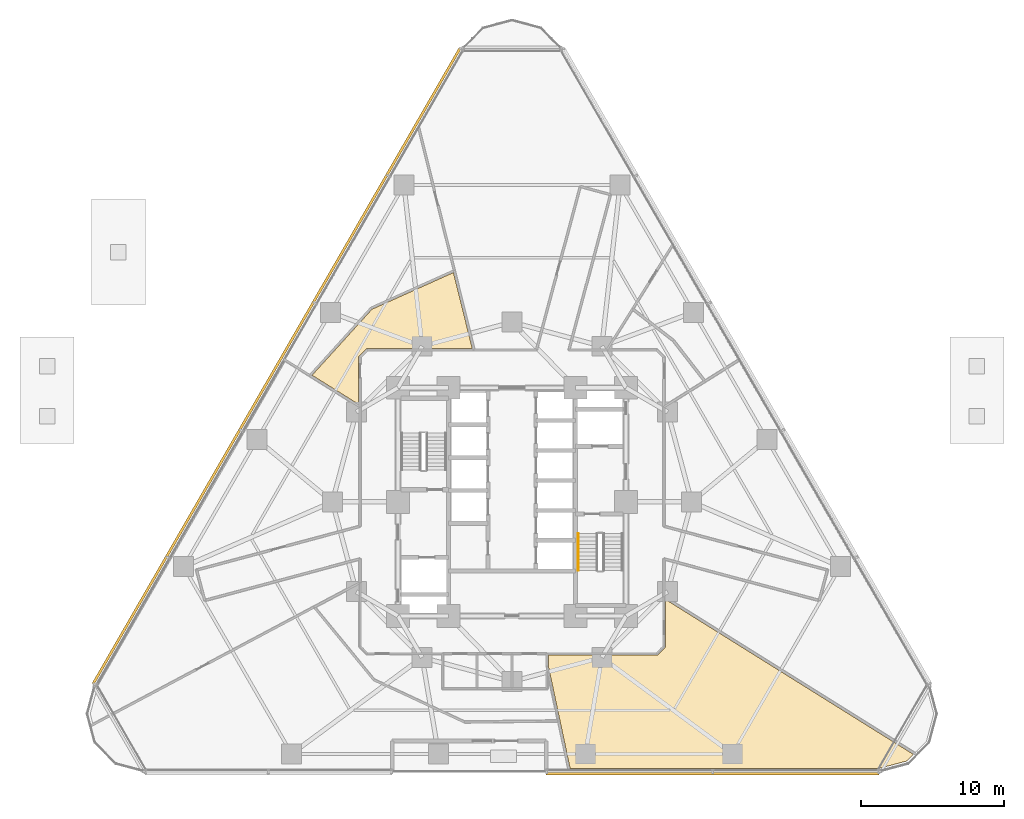
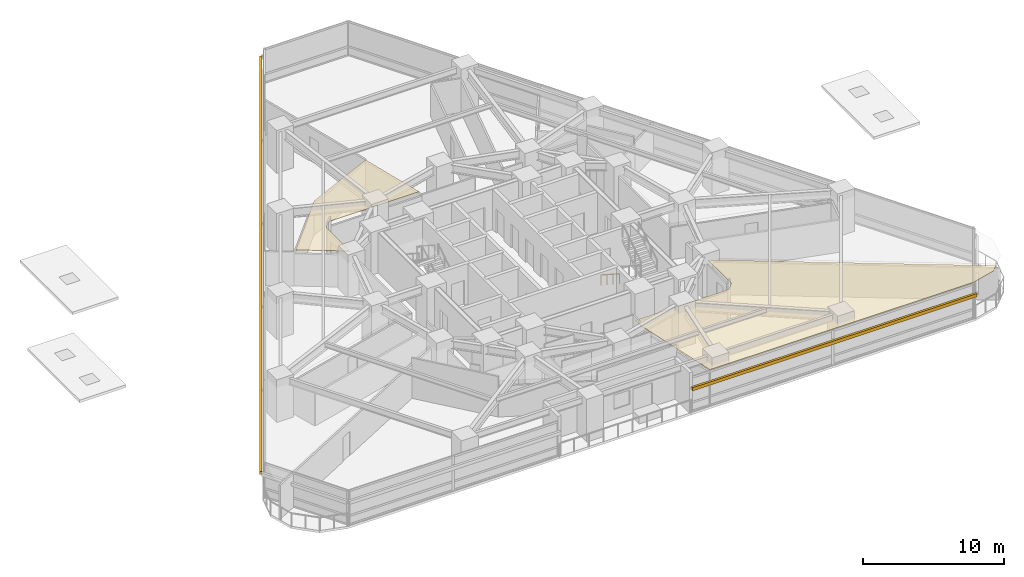
# One storey, part 14 of 16: 2 coverings, 2 shading devices, 1 railing.
"""IFC4 building model written with IfcOpenShell, lengths in metres."""

from ifc_helpers import new_model, si_unit, direction, frame, origin, origin_2d, place, context, subcontext, project, spatial, polyline, rectangle, circle, outline, extrude, material, layer, layer_set, type_object, element, save


model = new_model("IFC4")

# Units and contexts
model_context = context("Model", 3, precision=1e-05, world=origin(), true_north=direction((0.0, 1.0)))
body_context = subcontext(model_context, "Body", "Model", "MODEL_VIEW")
ifc_project = project(units=[si_unit("LENGTHUNIT", "METRE"), si_unit("AREAUNIT", "SQUARE_METRE"), si_unit("VOLUMEUNIT", "CUBIC_METRE"), si_unit("PLANEANGLEUNIT", "RADIAN"), si_unit("MASSUNIT", "GRAM", prefix="KILO")], contexts=[model_context])

# Site, building, storey
site_placement = place(None, origin())
site = spatial("IfcSite", under=ifc_project, at=site_placement, CompositionType="ELEMENT")
building_placement = place(site_placement, origin())
building = spatial("IfcBuilding", under=site, at=building_placement, Name="Terralouvre Media Tower", CompositionType="ELEMENT")
storey_placement = place(building_placement, frame((0.0, 0.0, 29.699951171875)))
storey = spatial("IfcBuildingStorey", under=building, at=storey_placement, Name="L06", CompositionType="ELEMENT", Elevation=29.699951171875)

# Coverings
ifc_material_1 = material(Name="Perforated aluminium acoustic ceiling baffle", Category="aluminium")
ifc_layer_1 = layer(ifc_material_1, 0.0400390625, Name="Perforated Acoustic Metal Tile Ceiling CL-AC1")
ifc_layer_set_1 = layer_set([ifc_layer_1], Name="Perforated aluminium acoustic ceiling baffle")
covering_type = type_object("IfcCoveringType", Name="Perforated Acoustic Metal Tile Ceiling CL-AC1", PredefinedType="CEILING", material=ifc_layer_set_1)
covering_1_placement = place(storey_placement, frame((0.0, 0.0, 2.97998046875)))
element("IfcCovering", 1, at=covering_1_placement, inside=storey, type_object=covering_type, Name="L06 Editorial Huddle Room 6 Acoustic Ceiling", PredefinedType="CEILING", context=body_context, shape_type="SweptSolid", body=[
    extrude(outline(polyline([(10.75, -10.14990234375), (10.74951171875, -10.159912109375), (10.748046875, -10.16943359375), (10.74560546875, -10.178955078125), (10.742431640625, -10.188232421875), (10.73828125, -10.197021484375), (10.733154296875, -10.20556640625), (10.727294921875, -10.21337890625), (10.720703125, -10.220703125), (10.220703125, -10.720703125), (10.21337890625, -10.727294921875), (10.20556640625, -10.733154296875), (10.197021484375, -10.73828125), (10.188232421875, -10.742431640625), (10.178955078125, -10.74560546875), (10.16943359375, -10.748046875), (10.159912109375, -10.74951171875), (10.14990234375, -10.75), (2.550048828125, -10.75), (2.550048828125, -11.515380859375), (3.36474609375, -15.34716796875), (4.075927734375, -18.697021484375), (25.720703125, -18.697021484375), (27.6611328125, -18.17724609375), (28.137451171875, -17.7001953125), (10.75, -6.83544921875), (10.75, -10.14990234375)])), origin(), (0.0, 0.0, 1.0), 0.0400390625),
])
covering_2_placement = place(storey_placement, frame((0.0, 0.0, 2.97998046875)))
element("IfcCovering", 2, at=covering_2_placement, inside=storey, type_object=covering_type, Name="L06 Anchor Green Lounge 10 Acoustic Ceiling", PredefinedType="CEILING", context=body_context, shape_type="SweptSolid", body=[
    extrude(outline(polyline([(-9.81494140625, 13.50830078125), (-14.0205078125, 8.87841796875), (-10.75, 6.83544921875), (-10.75, 10.14990234375), (-10.74951171875, 10.159912109375), (-10.748046875, 10.16943359375), (-10.74560546875, 10.178955078125), (-10.742431640625, 10.188232421875), (-10.73828125, 10.197021484375), (-10.733154296875, 10.20556640625), (-10.727294921875, 10.21337890625), (-10.720703125, 10.220703125), (-10.220703125, 10.720703125), (-10.21337890625, 10.727294921875), (-10.20556640625, 10.733154296875), (-10.197021484375, 10.73828125), (-10.188232421875, 10.742431640625), (-10.178955078125, 10.74560546875), (-10.16943359375, 10.748046875), (-10.159912109375, 10.74951171875), (-10.14990234375, 10.75), (-2.782958984375, 10.75), (-4.112060546875, 16.07763671875), (-9.81494140625, 13.50830078125)])), origin(), (0.0, 0.0, 1.0), 0.0400390625),
])

# Railing
ifc_material_2 = material(Name="Stainless steel 316 handrail and balustrade", Category="steel")
ifc_layer_2 = layer(ifc_material_2, 0.050048828125, Name="Stair Flight Wall Handrail HR-INT1")
ifc_layer_set_2 = layer_set([ifc_layer_2], Name="Stainless steel 316 handrail and balustrade")
railing_type = type_object("IfcRailingType", Name="Stair Flight Wall Handrail HR-INT1", PredefinedType="HANDRAIL", material=ifc_layer_set_2)
railing_placement = place(storey_placement, frame((4.64990234375, -2.219970703125, 0.168212890625)))
element("IfcRailing", 3, at=railing_placement, inside=storey, type_object=railing_type, Name="L06 ST-02 stair handrail 1", PredefinedType="HANDRAIL", context=body_context, shape_type="SweptSolid", body=[
    extrude(circle(Radius=0.02392578125, at=origin_2d()), frame((0.0, 0.0, 0.8759765625), z_axis=(0.0, -0.839648411786, 0.543130320075), x_axis=(1.0, 0.0, 0.0)), (0.0, 0.0, 1.0), 3.0966796875),
    extrude(circle(Radius=0.02099609375, at=origin_2d()), origin(), (0.0, 0.0, 1.0), 0.851806640625),
    extrude(circle(Radius=0.02099609375, at=origin_2d()), frame((0.0, -0.86669921875, 0.560546875)), (0.0, 0.0, 1.0), 0.851806640625),
    extrude(circle(Radius=0.02099609375, at=origin_2d()), frame((0.0, -1.7333984375, 1.121337890625)), (0.0, 0.0, 1.0), 0.851806640625),
    extrude(circle(Radius=0.02099609375, at=origin_2d()), frame((0.0, -2.60009765625, 1.681884765625)), (0.0, 0.0, 1.0), 0.851806640625),
])

# Shading devices
ifc_material_3 = material(Name="Extruded terracotta baguette sunshade louvres", Category="masonry")
shading_device_type = type_object("IfcShadingDeviceType", Name="Terracotta Baguette Sunshade Louvre Screen TB-LV1", PredefinedType="USERDEFINED", material=ifc_material_3)
shading_device_1_placement = place(storey_placement, frame((14.074951171875, -19.056884765625, 2.02392578125), z_axis=(0.0, 0.0, 1.0), x_axis=(1.0, 0.0, 0.0)))
element("IfcShadingDevice", 4, at=shading_device_1_placement, inside=storey, type_object=shading_device_type, Name="CW-L06-F0R Terracotta Baguette Sunshade Louvre", ObjectType="BAGUETTE", PredefinedType="USERDEFINED", context=body_context, shape_type="SweptSolid", body=[
    extrude(rectangle(XDim=23.35009765625, YDim=0.179931640625, at=origin_2d()), origin(), (0.0, 0.0, 1.0), 0.280029296875),
])
shading_device_2_placement = place(storey_placement, frame((-16.503662109375, 9.5283203125, 2.02392578125), z_axis=(0.0, 0.0, 1.0), x_axis=(-0.499999985671, -0.866025412057, 0.0)))
element("IfcShadingDevice", 5, at=shading_device_2_placement, inside=storey, type_object=shading_device_type, Name="CW-L06-F2 Terracotta Baguette Sunshade Louvre", ObjectType="BAGUETTE", PredefinedType="USERDEFINED", context=body_context, shape_type="SweptSolid", body=[
    extrude(rectangle(XDim=51.5, YDim=0.179931640625, at=origin_2d()), origin(), (0.0, 0.0, 1.0), 0.280029296875),
])

save(model, "model.ifc")
